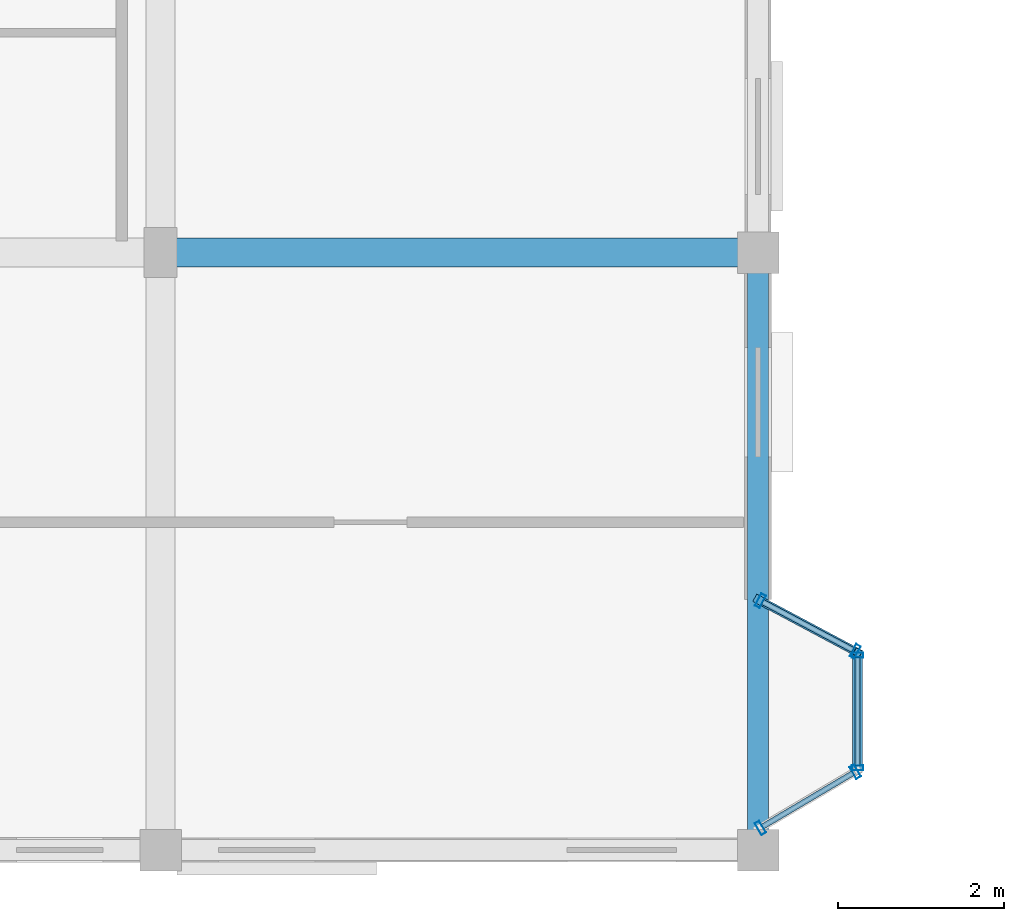
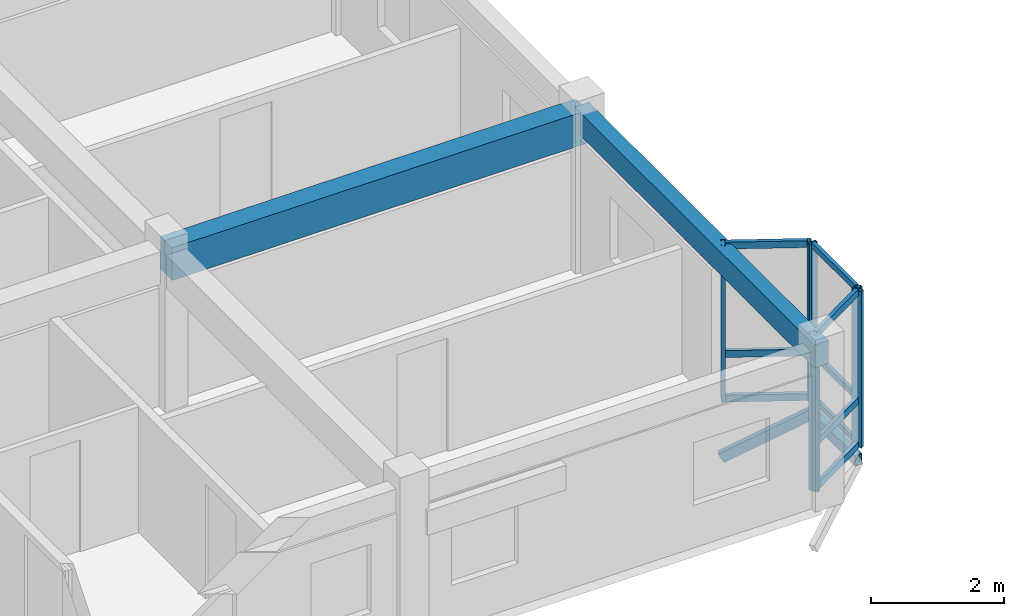
# One storey, part 7 of 70: 17 members, 2 beams, 3 elements without a shape of their own.
"""IFC4 building model written with IfcOpenShell, lengths in metres."""

from ifc_helpers import new_model, si_unit, direction, frame, origin, origin_2d, place, context, subcontext, project, spatial, rectangle, hollow_rectangle, extrude, material, layer, layer_set, material_profile, profile_set, type_object, element, aggregate, save


model = new_model("IFC4")

# Units and contexts
model_context = context("Model", 3, precision=1e-05, world=origin(), true_north=direction((0.0, 1.0)))
body_context = subcontext(model_context, "Body", "Model", "MODEL_VIEW")
ifc_project = project(units=[si_unit("LENGTHUNIT", "METRE"), si_unit("AREAUNIT", "SQUARE_METRE"), si_unit("VOLUMEUNIT", "CUBIC_METRE"), si_unit("PLANEANGLEUNIT", "RADIAN"), si_unit("MASSUNIT", "GRAM", prefix="KILO"), si_unit("THERMODYNAMICTEMPERATUREUNIT", "KELVIN"), si_unit("POWERUNIT", "WATT")], contexts=[model_context])

# Site, building, storey
site_placement = place(None, origin())
site = spatial("IfcSite", under=ifc_project, at=site_placement, CompositionType="ELEMENT")
building_placement = place(site_placement, origin())
building = spatial("IfcBuilding", under=site, at=building_placement, Name="Tavuni Mirador Residences", CompositionType="ELEMENT")
storey_placement = place(building_placement, frame((0.0, 0.0, 23.39990234375)))
storey = spatial("IfcBuildingStorey", under=building, at=storey_placement, Name="L07", CompositionType="ELEMENT", Elevation=23.39990234375)

# Beams
ifc_material_1 = material(Name="Precast concrete C40/50", Category="concrete")
ifc_material_profile_1 = material_profile(ifc_material_1, rectangle(XDim=0.35009765625, YDim=0.60009765625, at=origin_2d()), Name="PC 350x600", Category="concrete")
ifc_profile_set_1 = profile_set([ifc_material_profile_1], Name="Precast concrete C40/50")
beam_type_1 = type_object("IfcBeamType", Name="BT-B600", PredefinedType="BEAM", material=ifc_profile_set_1)
beam_1_placement = place(storey_placement, frame((25.199951171875, 14.39990234375, 2.570068359375), z_axis=(1.0, 0.0, 0.0), x_axis=(0.0, 1.0, 0.0)))
element("IfcBeam", 1, at=beam_1_placement, inside=storey, type_object=beam_type_1, Name="BMX-BLK-A-L07-03-01", PredefinedType="BEAM", context=body_context, shape_type="SweptSolid", body=[
    extrude(rectangle(XDim=0.35009765625, YDim=0.60009765625, at=origin_2d()), origin(), (0.0, 0.0, 1.0), 7.199951171875),
])
ifc_material_profile_2 = material_profile(ifc_material_1, rectangle(XDim=0.25, YDim=0.419921875, at=origin_2d()), Name="PC 250x420", Category="concrete")
ifc_profile_set_2 = profile_set([ifc_material_profile_2], Name="Precast concrete C40/50")
beam_type_2 = type_object("IfcBeamType", Name="BT-SP420", PredefinedType="SPANDREL", material=ifc_profile_set_2)
beam_2_placement = place(storey_placement, frame((32.39990234375, 7.199951171875, 2.66015625), z_axis=(0.0, 1.0, 0.0), x_axis=(-1.0, 0.0, 0.0)))
element("IfcBeam", 2, at=beam_2_placement, inside=storey, type_object=beam_type_2, Name="BMY-BLK-A-L07-04-00", PredefinedType="SPANDREL", context=body_context, shape_type="SweptSolid", body=[
    extrude(rectangle(XDim=0.25, YDim=0.419921875, at=origin_2d()), origin(), (0.0, 0.0, 1.0), 7.199951171875),
])

# Curtain wall, members
ifc_material_2 = material(Name="Anodised aluminium", Category="aluminium")
ifc_layer_1 = layer(ifc_material_2, 0.175048828125, Name="Anodised aluminium", Category="aluminium")
ifc_layer_set_1 = layer_set([ifc_layer_1], Name="Anodised aluminium")
curtain_wall_type_1 = type_object("IfcCurtainWallType", Name="CWT-MIR-C", PredefinedType="NOTDEFINED", material=ifc_layer_set_1)
curtain_wall_1_placement = place(storey_placement, origin())
curtain_wall_1 = element("IfcCurtainWall", 3, at=curtain_wall_1_placement, inside=storey, type_object=curtain_wall_type_1, Name="CW-MIR-A-E1-L07-MF", PredefinedType="NOTDEFINED")
ifc_material_profile_3 = material_profile(ifc_material_2, hollow_rectangle(XDim=0.06005859375, YDim=0.139892578125, WallThickness=0.00390625, at=origin_2d()), Name="ALU 60x140x4.0", Category="aluminium")
ifc_profile_set_3 = profile_set([ifc_material_profile_3], Name="Anodised aluminium")
member_type_1 = type_object("IfcMemberType", Name="CWM-140", PredefinedType="MULLION", material=ifc_profile_set_3)
member_1_placement = place(storey_placement, frame((33.60009765625, 8.18994140625, 0.0), z_axis=(0.0, 0.0, 1.0), x_axis=(0.0, 1.0, 0.0)))
member_1 = element("IfcMember", 4, at=member_1_placement, type_object=member_type_1, Name="CW-03 mullion 1", PredefinedType="MULLION", context=body_context, shape_type="SweptSolid", body=[
    extrude(hollow_rectangle(XDim=0.06005859375, YDim=0.139892578125, WallThickness=0.00390625, at=origin_2d()), origin(), (0.0, 0.0, 1.0), 2.8701171875),
])
member_2_placement = place(storey_placement, frame((33.60009765625, 9.550048828125, 0.0), z_axis=(0.0, 0.0, 1.0), x_axis=(0.0, 1.0, 0.0)))
member_2 = element("IfcMember", 5, at=member_2_placement, type_object=member_type_1, Name="CW-03 mullion 2", PredefinedType="MULLION", context=body_context, shape_type="SweptSolid", body=[
    extrude(hollow_rectangle(XDim=0.06005859375, YDim=0.139892578125, WallThickness=0.00390625, at=origin_2d()), origin(), (0.0, 0.0, 1.0), 2.8701171875),
])

ifc_layer_2 = layer(ifc_material_2, 0.14990234375, Name="Anodised aluminium", Category="aluminium")
ifc_layer_set_2 = layer_set([ifc_layer_2], Name="Anodised aluminium")
curtain_wall_type_2 = type_object("IfcCurtainWallType", Name="CWT-MIR-B", PredefinedType="NOTDEFINED", material=ifc_layer_set_2)
curtain_wall_2_placement = place(storey_placement, origin())
curtain_wall_2 = element("IfcCurtainWall", 6, at=curtain_wall_2_placement, inside=storey, type_object=curtain_wall_type_2, Name="CW-MIR-A-E1-L07-M1", PredefinedType="NOTDEFINED")
ifc_material_profile_4 = material_profile(ifc_material_2, hollow_rectangle(XDim=0.06494140625, YDim=0.1650390625, WallThickness=0.00439453125, at=origin_2d()), Name="ALU 65x165x4.5", Category="aluminium")
ifc_profile_set_4 = profile_set([ifc_material_profile_4], Name="Anodised aluminium")
member_type_2 = type_object("IfcMemberType", Name="CWM-165", PredefinedType="MULLION", material=ifc_profile_set_4)
member_3_placement = place(storey_placement, frame((32.427978515625, 7.466552734375, 0.0), z_axis=(0.0, 0.0, 1.0), x_axis=(0.860640830284, 0.509212491254, 0.0)))
member_3 = element("IfcMember", 7, at=member_3_placement, type_object=member_type_2, Name="CW-02 mullion 1", PredefinedType="MULLION", context=body_context, shape_type="SweptSolid", body=[
    extrude(hollow_rectangle(XDim=0.06494140625, YDim=0.1650390625, WallThickness=0.00439453125, at=origin_2d()), origin(), (0.0, 0.0, 1.0), 2.8701171875),
])
member_4_placement = place(storey_placement, frame((33.572021484375, 8.1435546875, 0.0), z_axis=(0.0, 0.0, 1.0), x_axis=(0.860640830284, 0.509212491254, 0.0)))
member_4 = element("IfcMember", 8, at=member_4_placement, type_object=member_type_2, Name="CW-02 mullion 2", PredefinedType="MULLION", context=body_context, shape_type="SweptSolid", body=[
    extrude(hollow_rectangle(XDim=0.06494140625, YDim=0.1650390625, WallThickness=0.00439453125, at=origin_2d()), origin(), (0.0, 0.0, 1.0), 2.8701171875),
])

ifc_layer_3 = layer(ifc_material_2, 0.159912109375, Name="Anodised aluminium", Category="aluminium")
ifc_layer_set_3 = layer_set([ifc_layer_3], Name="Anodised aluminium")
curtain_wall_type_3 = type_object("IfcCurtainWallType", Name="CWT-MIR-D", PredefinedType="NOTDEFINED", material=ifc_layer_set_3)
curtain_wall_3_placement = place(storey_placement, origin())
curtain_wall_3 = element("IfcCurtainWall", 9, at=curtain_wall_3_placement, inside=storey, type_object=curtain_wall_type_3, Name="CW-MIR-A-E1-L07-M2", PredefinedType="NOTDEFINED")
member_5_placement = place(storey_placement, frame((33.5712890625, 9.59521484375, 0.0), z_axis=(0.0, 0.0, 1.0), x_axis=(-0.882352941175, 0.470588235296, 0.0)))
member_5 = element("IfcMember", 10, at=member_5_placement, type_object=member_type_2, Name="CW-04 mullion 1", PredefinedType="MULLION", context=body_context, shape_type="SweptSolid", body=[
    extrude(hollow_rectangle(XDim=0.06494140625, YDim=0.1650390625, WallThickness=0.00439453125, at=origin_2d()), origin(), (0.0, 0.0, 1.0), 2.8701171875),
])
member_6_placement = place(storey_placement, frame((32.4287109375, 10.20458984375, 0.0), z_axis=(0.0, 0.0, 1.0), x_axis=(-0.882352941175, 0.470588235296, 0.0)))
member_6 = element("IfcMember", 11, at=member_6_placement, type_object=member_type_2, Name="CW-04 mullion 2", PredefinedType="MULLION", context=body_context, shape_type="SweptSolid", body=[
    extrude(hollow_rectangle(XDim=0.06494140625, YDim=0.1650390625, WallThickness=0.00439453125, at=origin_2d()), origin(), (0.0, 0.0, 1.0), 2.8701171875),
])

# Member
ifc_material_profile_5 = material_profile(ifc_material_2, hollow_rectangle(XDim=0.06005859375, YDim=0.110107421875, WallThickness=0.00390625, at=origin_2d()), Name="ALU 60x110x4.0", Category="aluminium")
ifc_profile_set_5 = profile_set([ifc_material_profile_5], Name="Anodised aluminium")
member_type_3 = type_object("IfcMemberType", Name="CWT-110", PredefinedType="USERDEFINED", material=ifc_profile_set_5)
member_7_placement = place(storey_placement, frame((33.60009765625, 8.219970703125, 0.030029296875), z_axis=(0.0, 1.0, 0.0), x_axis=(-1.0, 0.0, 0.0)))
member_7 = element("IfcMember", 12, at=member_7_placement, type_object=member_type_3, Name="CW-03 transom 1.1", ObjectType="TRANSOM", PredefinedType="USERDEFINED", context=body_context, shape_type="SweptSolid", body=[
    extrude(hollow_rectangle(XDim=0.06005859375, YDim=0.110107421875, WallThickness=0.00390625, at=origin_2d()), origin(), (0.0, 0.0, 1.0), 1.300048828125),
])

member_8_placement = place(storey_placement, frame((33.60009765625, 8.219970703125, 0.85009765625), z_axis=(0.0, 1.0, 0.0), x_axis=(-1.0, 0.0, 0.0)))
member_8 = element("IfcMember", 13, at=member_8_placement, type_object=member_type_3, Name="CW-03 transom 1.2", ObjectType="TRANSOM", PredefinedType="USERDEFINED", context=body_context, shape_type="SweptSolid", body=[
    extrude(hollow_rectangle(XDim=0.06005859375, YDim=0.110107421875, WallThickness=0.00390625, at=origin_2d()), origin(), (0.0, 0.0, 1.0), 1.300048828125),
])

member_9_placement = place(storey_placement, frame((33.60009765625, 8.219970703125, 2.840087890625), z_axis=(0.0, 1.0, 0.0), x_axis=(-1.0, 0.0, 0.0)))
member_9 = element("IfcMember", 14, at=member_9_placement, type_object=member_type_3, Name="CW-03 transom 1.3", ObjectType="TRANSOM", PredefinedType="USERDEFINED", context=body_context, shape_type="SweptSolid", body=[
    extrude(hollow_rectangle(XDim=0.06005859375, YDim=0.110107421875, WallThickness=0.00390625, at=origin_2d()), origin(), (0.0, 0.0, 1.0), 1.300048828125),
])

aggregate(curtain_wall_1, [member_1, member_2, member_7, member_8, member_9])

ifc_material_profile_6 = material_profile(ifc_material_2, hollow_rectangle(XDim=0.06494140625, YDim=0.125, WallThickness=0.00439453125, at=origin_2d()), Name="ALU 65x125x4.5", Category="aluminium")
ifc_profile_set_6 = profile_set([ifc_material_profile_6], Name="Anodised aluminium")
member_type_4 = type_object("IfcMemberType", Name="CWT-125", PredefinedType="USERDEFINED", material=ifc_profile_set_6)
member_10_placement = place(storey_placement, frame((32.4560546875, 7.483154296875, 0.03271484375), z_axis=(0.86059568564, 0.509288784343, 0.0), x_axis=(-0.509288784343, 0.86059568564, 0.0)))
member_10 = element("IfcMember", 15, at=member_10_placement, type_object=member_type_4, Name="CW-02 transom 1.1", ObjectType="TRANSOM", PredefinedType="USERDEFINED", context=body_context, shape_type="SweptSolid", body=[
    extrude(hollow_rectangle(XDim=0.06494140625, YDim=0.125, WallThickness=0.00439453125, at=origin_2d()), origin(), (0.0, 0.0, 1.0), 1.26416015625),
])

member_11_placement = place(storey_placement, frame((32.4560546875, 7.483154296875, 0.85009765625), z_axis=(0.86059568564, 0.509288784343, 0.0), x_axis=(-0.509288784343, 0.86059568564, 0.0)))
member_11 = element("IfcMember", 16, at=member_11_placement, type_object=member_type_4, Name="CW-02 transom 1.2", ObjectType="TRANSOM", PredefinedType="USERDEFINED", context=body_context, shape_type="SweptSolid", body=[
    extrude(hollow_rectangle(XDim=0.06494140625, YDim=0.125, WallThickness=0.00439453125, at=origin_2d()), origin(), (0.0, 0.0, 1.0), 1.26416015625),
])

member_12_placement = place(storey_placement, frame((32.4560546875, 7.483154296875, 2.837646484375), z_axis=(0.86059568564, 0.509288784343, 0.0), x_axis=(-0.509288784343, 0.86059568564, 0.0)))
member_12 = element("IfcMember", 17, at=member_12_placement, type_object=member_type_4, Name="CW-02 transom 1.3", ObjectType="TRANSOM", PredefinedType="USERDEFINED", context=body_context, shape_type="SweptSolid", body=[
    extrude(hollow_rectangle(XDim=0.06494140625, YDim=0.125, WallThickness=0.00439453125, at=origin_2d()), origin(), (0.0, 0.0, 1.0), 1.26416015625),
])

aggregate(curtain_wall_2, [member_3, member_4, member_10, member_11, member_12])

member_13_placement = place(storey_placement, frame((33.542724609375, 9.610595703125, 0.03271484375), z_axis=(-0.882369422046, 0.47055733236, 0.0), x_axis=(-0.47055733236, -0.882369422046, 0.0)))
member_13 = element("IfcMember", 18, at=member_13_placement, type_object=member_type_4, Name="CW-04 transom 1.1", ObjectType="TRANSOM", PredefinedType="USERDEFINED", context=body_context, shape_type="SweptSolid", body=[
    extrude(hollow_rectangle(XDim=0.06494140625, YDim=0.125, WallThickness=0.00439453125, at=origin_2d()), origin(), (0.0, 0.0, 1.0), 1.230224609375),
])

member_14_placement = place(storey_placement, frame((33.542724609375, 9.610595703125, 0.85009765625), z_axis=(-0.882369422046, 0.47055733236, 0.0), x_axis=(-0.47055733236, -0.882369422046, 0.0)))
member_14 = element("IfcMember", 19, at=member_14_placement, type_object=member_type_4, Name="CW-04 transom 1.2", ObjectType="TRANSOM", PredefinedType="USERDEFINED", context=body_context, shape_type="SweptSolid", body=[
    extrude(hollow_rectangle(XDim=0.06494140625, YDim=0.125, WallThickness=0.00439453125, at=origin_2d()), origin(), (0.0, 0.0, 1.0), 1.230224609375),
])

member_15_placement = place(storey_placement, frame((33.542724609375, 9.610595703125, 2.837646484375), z_axis=(-0.882369422046, 0.47055733236, 0.0), x_axis=(-0.47055733236, -0.882369422046, 0.0)))
member_15 = element("IfcMember", 20, at=member_15_placement, type_object=member_type_4, Name="CW-04 transom 1.3", ObjectType="TRANSOM", PredefinedType="USERDEFINED", context=body_context, shape_type="SweptSolid", body=[
    extrude(hollow_rectangle(XDim=0.06494140625, YDim=0.125, WallThickness=0.00439453125, at=origin_2d()), origin(), (0.0, 0.0, 1.0), 1.230224609375),
])

aggregate(curtain_wall_3, [member_5, member_6, member_13, member_14, member_15])

# Members
ifc_material_3 = material(Name="Structural steel S355", Category="steel")
ifc_material_profile_7 = material_profile(ifc_material_3, hollow_rectangle(XDim=0.10009765625, YDim=0.179931640625, WallThickness=0.008056640625, at=origin_2d()), Name="RHS 180x100x8.0", Category="steel")
ifc_profile_set_7 = profile_set([ifc_material_profile_7], Name="Structural steel S355")
member_type_5 = type_object("IfcMemberType", Name="MT-BR-RHS180", PredefinedType="BRACE", material=ifc_profile_set_7)
member_16_placement = place(storey_placement, frame((32.39990234375, 10.219970703125, -1.0498046875), z_axis=(0.767896193149, -0.409409260017, 0.492665702439), x_axis=(0.470467115558, 0.882417527692, 0.0)))
element("IfcMember", 21, at=member_16_placement, inside=storey, type_object=member_type_5, Name="MBRK-MIR-A-E1-L07-2", PredefinedType="BRACE", context=body_context, shape_type="SweptSolid", body=[
    extrude(hollow_rectangle(XDim=0.10009765625, YDim=0.179931640625, WallThickness=0.008056640625, at=origin_2d()), origin(), (0.0, 0.0, 1.0), 1.56298828125),
])
ifc_material_profile_8 = material_profile(ifc_material_3, hollow_rectangle(XDim=0.1201171875, YDim=0.199951171875, WallThickness=0.010009765625, at=origin_2d()), Name="RHS 200x120x10.0", Category="steel")
ifc_profile_set_8 = profile_set([ifc_material_profile_8], Name="Structural steel S355")
member_type_6 = type_object("IfcMemberType", Name="MT-ST-RHS200", PredefinedType="STRUT", material=ifc_profile_set_8)
member_17_placement = place(storey_placement, frame((33.60009765625, 8.159912109375, -0.27978515625), z_axis=(0.0, 1.0, 0.0), x_axis=(-1.0, 0.0, 0.0)))
element("IfcMember", 22, at=member_17_placement, inside=storey, type_object=member_type_6, Name="MRIM-MIR-A-E1-L07", PredefinedType="STRUT", context=body_context, shape_type="SweptSolid", body=[
    extrude(hollow_rectangle(XDim=0.1201171875, YDim=0.199951171875, WallThickness=0.010009765625, at=origin_2d()), origin(), (0.0, 0.0, 1.0), 1.420166015625),
])

save(model, "model.ifc")
